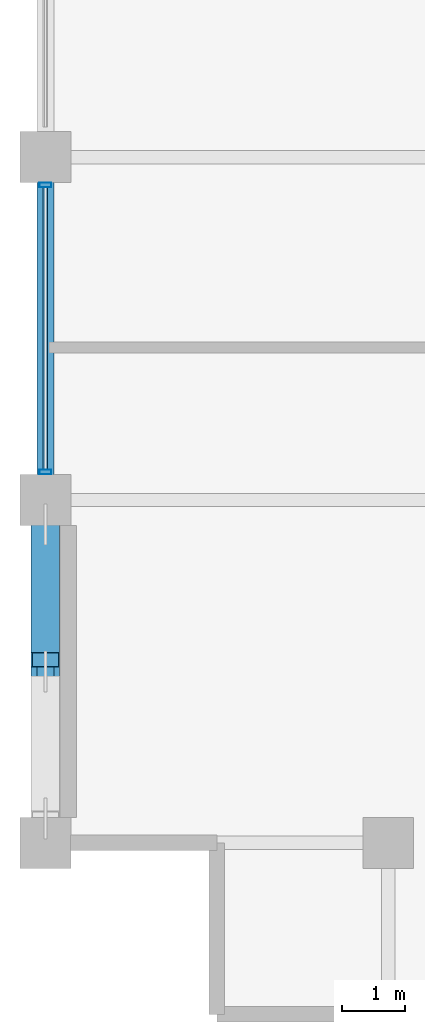
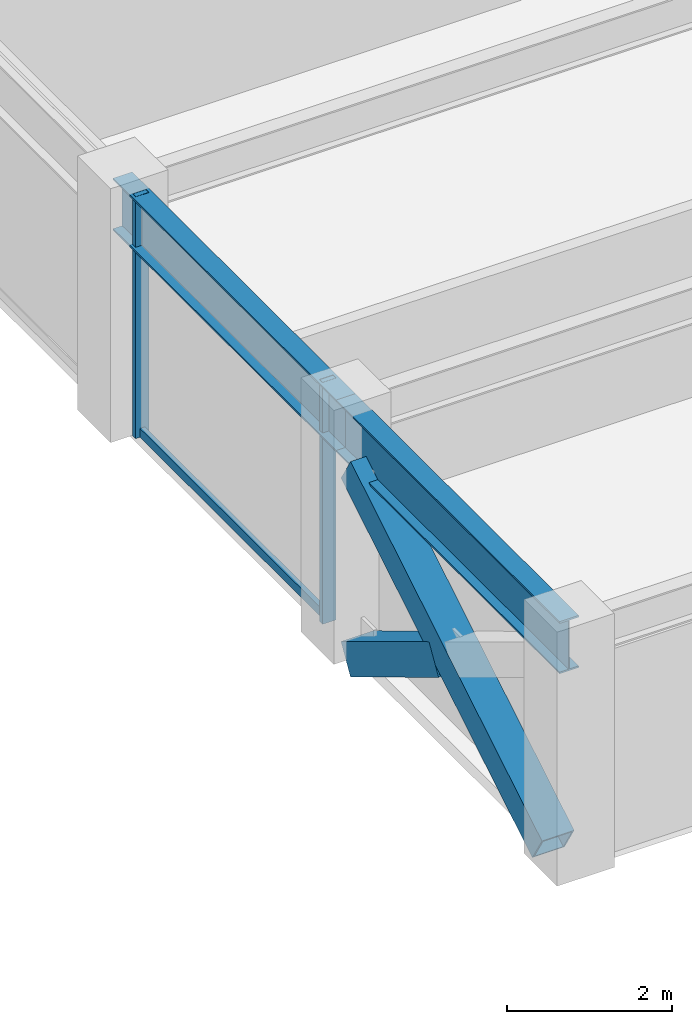
# One storey, part 4 of 32: 5 members, 2 beams, 1 element without a shape of its own.
"""IFC4 building model written with IfcOpenShell, lengths in metres."""

from ifc_helpers import new_model, si_unit, direction, frame, origin, origin_2d, place, context, subcontext, project, spatial, hollow_rectangle, i_section, extrude, material, layer, layer_set, material_profile, profile_set, type_object, element, aggregate, save


model = new_model("IFC4")

# Units and contexts
model_context = context("Model", 3, precision=1e-05, world=origin(), true_north=direction((0.0, 1.0)))
body_context = subcontext(model_context, "Body", "Model", "MODEL_VIEW")
ifc_project = project(units=[si_unit("LENGTHUNIT", "METRE"), si_unit("AREAUNIT", "SQUARE_METRE"), si_unit("VOLUMEUNIT", "CUBIC_METRE"), si_unit("PLANEANGLEUNIT", "RADIAN"), si_unit("MASSUNIT", "GRAM", prefix="KILO")], contexts=[model_context])

# Site, building, storey
site_placement = place(None, origin())
site = spatial("IfcSite", under=ifc_project, at=site_placement, CompositionType="ELEMENT")
building_placement = place(site_placement, origin())
building = spatial("IfcBuilding", under=site, at=building_placement, Name="Surkhivell Harbour Commons", CompositionType="ELEMENT")
storey_placement = place(building_placement, frame((0.0, 0.0, 219.75)))
storey = spatial("IfcBuildingStorey", under=building, at=storey_placement, Name="L57", CompositionType="ELEMENT", Elevation=219.75)

# Beams
ifc_material_1 = material(Name="Steel S355", Category="steel")
ifc_material_profile_1 = material_profile(ifc_material_1, i_section(OverallWidth=0.26806640625, OverallDepth=0.77001953125, WebThickness=0.015625, FlangeThickness=0.025390625, at=origin_2d()), Name="UB762x267x197")
ifc_profile_set_1 = profile_set([ifc_material_profile_1], Name="Steel S355")
beam_type = type_object("IfcBeamType", Name="BM-SPN-762", PredefinedType="SPANDREL", material=ifc_profile_set_1)
beam_1_placement = place(storey_placement, frame((-27.0, -16.199951171875, 3.18505859375), z_axis=(0.0, 1.0, 0.0), x_axis=(-1.0, 0.0, 0.0)))
element("IfcBeam", 1, at=beam_1_placement, inside=storey, type_object=beam_type, Name="L57 Tube Spandrel (-27.0,-16.2)", PredefinedType="SPANDREL", context=body_context, shape_type="SweptSolid", body=[
    extrude(i_section(OverallWidth=0.26806640625, OverallDepth=0.77001953125, WebThickness=0.015625, FlangeThickness=0.025390625, at=origin_2d()), origin(), (0.0, 0.0, 1.0), 5.39990234375),
])
beam_2_placement = place(storey_placement, frame((-27.0, -10.800048828125, 3.18505859375), z_axis=(0.0, 1.0, 0.0), x_axis=(-1.0, 0.0, 0.0)))
element("IfcBeam", 2, at=beam_2_placement, inside=storey, type_object=beam_type, Name="L57 Tube Spandrel (-27.0,-10.8)", PredefinedType="SPANDREL", context=body_context, shape_type="SweptSolid", body=[
    extrude(i_section(OverallWidth=0.26806640625, OverallDepth=0.77001953125, WebThickness=0.015625, FlangeThickness=0.025390625, at=origin_2d()), origin(), (0.0, 0.0, 1.0), 5.400146484375),
])

# Curtain wall, members
ifc_material_2 = material(Name="Anodised pale-metal aluminium and insulated glazing", Category="aluminium")
ifc_layer = layer(ifc_material_2, 0.18994140625)
ifc_layer_set = layer_set([ifc_layer], Name="Anodised pale-metal aluminium and insulated glazing")
curtain_wall_type = type_object("IfcCurtainWallType", Name="CW-SYS-Z3", PredefinedType="NOTDEFINED", material=ifc_layer_set)
curtain_wall_placement = place(storey_placement, origin())
curtain_wall = element("IfcCurtainWall", 3, at=curtain_wall_placement, inside=storey, type_object=curtain_wall_type, Name="L57 Curtain Wall CW-L57-E12S1", PredefinedType="NOTDEFINED")
ifc_material_3 = material(Name="Anodised pale-metal aluminium alloy 6063-T6", Category="aluminium")
ifc_material_profile_2 = material_profile(ifc_material_3, hollow_rectangle(XDim=0.074951171875, YDim=0.18994140625, WallThickness=0.00390625, at=origin_2d()), Name="ALU-MULL-75x190")
ifc_profile_set_2 = profile_set([ifc_material_profile_2], Name="Anodised pale-metal aluminium alloy 6063-T6")
member_type_1 = type_object("IfcMemberType", Name="CWM-190", PredefinedType="MULLION", material=ifc_profile_set_2)
member_1_placement = place(storey_placement, frame((-27.0, -5.839599609375, 0.0), z_axis=(0.0, 0.0, 1.0), x_axis=(0.0, -1.0, 0.0)))
member_1 = element("IfcMember", 4, at=member_1_placement, type_object=member_type_1, Name="CW-Z3 mullion 6", PredefinedType="MULLION", context=body_context, shape_type="SweptSolid", body=[
    extrude(hollow_rectangle(XDim=0.074951171875, YDim=0.18994140625, WallThickness=0.00390625, at=origin_2d()), origin(), (0.0, 0.0, 1.0), 3.570068359375),
])
member_2_placement = place(storey_placement, frame((-27.0, -10.360595703125, 0.0), z_axis=(0.0, 0.0, 1.0), x_axis=(0.0, -1.0, 0.0)))
member_2 = element("IfcMember", 5, at=member_2_placement, type_object=member_type_1, Name="CW-Z3 mullion 7", PredefinedType="MULLION", context=body_context, shape_type="SweptSolid", body=[
    extrude(hollow_rectangle(XDim=0.074951171875, YDim=0.18994140625, WallThickness=0.00390625, at=origin_2d()), origin(), (0.0, 0.0, 1.0), 3.570068359375),
])
ifc_material_4 = material(Name="Champagne anodised aluminium alloy 6063-T6", Category="aluminium")
ifc_material_profile_3 = material_profile(ifc_material_4, hollow_rectangle(XDim=0.070068359375, YDim=0.1298828125, WallThickness=0.00341796875, at=origin_2d()), Name="ALU-TRAN-70x130")
ifc_profile_set_3 = profile_set([ifc_material_profile_3], Name="Champagne anodised aluminium alloy 6063-T6")
member_type_2 = type_object("IfcMemberType", Name="CWT-130", PredefinedType="USERDEFINED", material=ifc_profile_set_3)
member_3_placement = place(storey_placement, frame((-27.0, -5.876953125, 0.06494140625), z_axis=(0.0, -1.0, 0.0), x_axis=(1.0, 0.0, 0.0)))
member_3 = element("IfcMember", 6, at=member_3_placement, type_object=member_type_2, Name="CW-Z3 transom 6.1", ObjectType="TRANSOM", PredefinedType="USERDEFINED", context=body_context, shape_type="SweptSolid", body=[
    extrude(hollow_rectangle(XDim=0.070068359375, YDim=0.1298828125, WallThickness=0.00341796875, at=origin_2d()), origin(), (0.0, 0.0, 1.0), 4.446044921875),
])
aggregate(curtain_wall, [member_1, member_2, member_3])

# Members
ifc_material_5 = material(Name="Steel S460", Category="steel")
ifc_material_profile_4 = material_profile(ifc_material_5, hollow_rectangle(XDim=0.449951171875, YDim=0.449951171875, WallThickness=0.02197265625, at=origin_2d()), Name="SHS450x450x22")
ifc_profile_set_4 = profile_set([ifc_material_profile_4], Name="Steel S460")
member_type_3 = type_object("IfcMemberType", Name="MEM-BRC-SHS450", PredefinedType="BRACE", material=ifc_profile_set_4)
member_4_placement = place(storey_placement, frame((-27.0, -15.81494140625, 0.008056640625), z_axis=(0.0, 0.856023742961, 0.516936506243), x_axis=(-1.0, 0.0, 0.0)))
element("IfcMember", 7, at=member_4_placement, inside=storey, type_object=member_type_3, Name="L57 Perimeter Mega-Brace MB- 10", PredefinedType="BRACE", context=body_context, shape_type="SweptSolid", body=[
    extrude(hollow_rectangle(XDim=0.449951171875, YDim=0.449951171875, WallThickness=0.02197265625, at=origin_2d()), origin(), (0.0, 0.0, 1.0), 5.40869140625),
])
member_5_placement = place(storey_placement, frame((-27.0, -11.18505859375, 0.008056640625), z_axis=(0.0, -0.856061168755, 0.516874525731), x_axis=(1.0, 0.0, 0.0)))
element("IfcMember", 8, at=member_5_placement, inside=storey, type_object=member_type_3, Name="L57 Perimeter Mega-Brace MB- 11", PredefinedType="BRACE", context=body_context, shape_type="SweptSolid", body=[
    extrude(hollow_rectangle(XDim=0.449951171875, YDim=0.449951171875, WallThickness=0.02197265625, at=origin_2d()), origin(), (0.0, 0.0, 1.0), 2.48828125),
])

save(model, "model.ifc")
